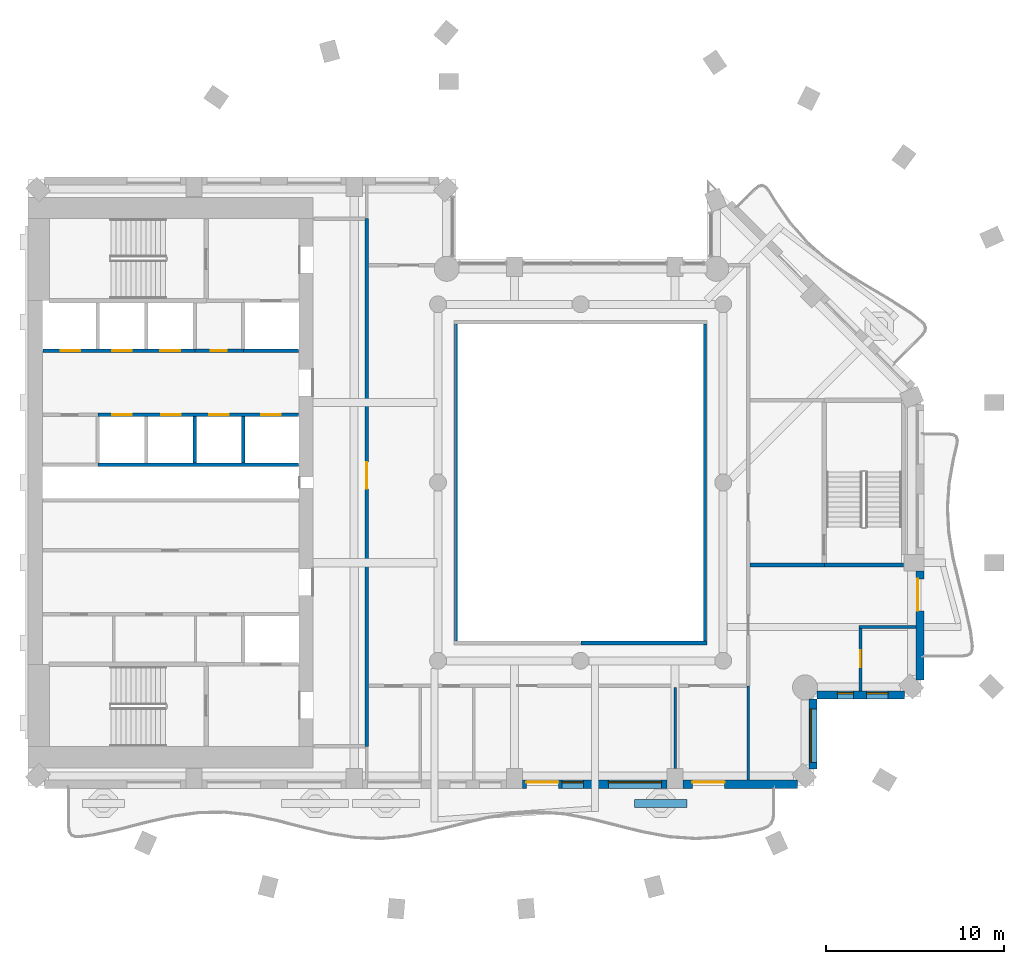
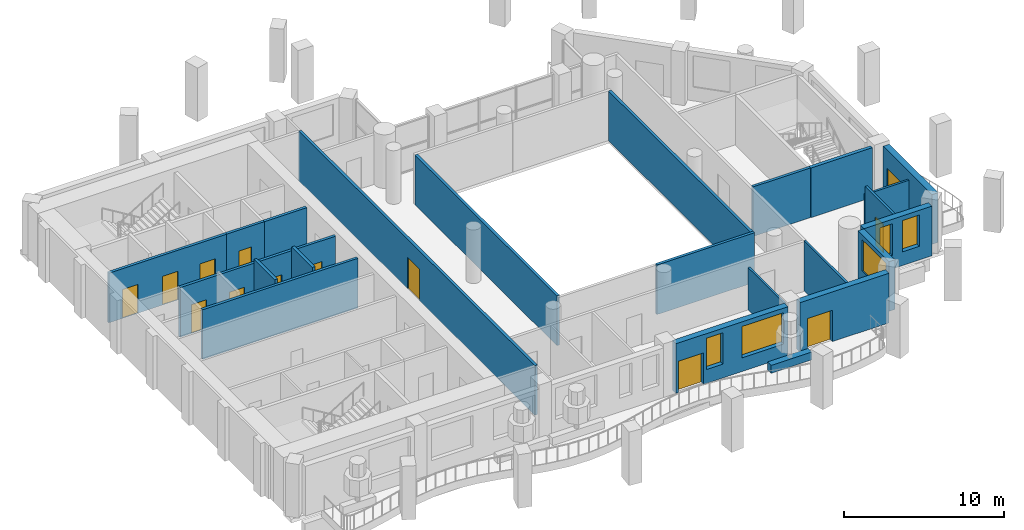
# One storey, part 5 of 14: 23 walls, 13 doors, 5 windows, 18 openings.
"""IFC4 building model written with IfcOpenShell, lengths in metres."""

from ifc_helpers import new_model, si_unit, direction, frame, frame_2d, origin, place, context, subcontext, project, spatial, rectangle, extrude, material, layer, layer_set, type_object, element, fill, save


model = new_model("IFC4")

# Units and contexts
model_context = context("Model", 3, precision=1e-05, world=origin(), true_north=direction((0.0, 1.0)))
body_context = subcontext(model_context, "Body", "Model", "MODEL_VIEW")
ifc_project = project(units=[si_unit("LENGTHUNIT", "METRE"), si_unit("AREAUNIT", "SQUARE_METRE"), si_unit("VOLUMEUNIT", "CUBIC_METRE"), si_unit("PLANEANGLEUNIT", "RADIAN"), si_unit("MASSUNIT", "GRAM", prefix="KILO")], contexts=[model_context])

# Site, building, storey
site_placement = place(None, origin())
site = spatial("IfcSite", under=ifc_project, at=site_placement, CompositionType="ELEMENT")
building_placement = place(site_placement, origin())
building = spatial("IfcBuilding", under=site, at=building_placement, Name="Cypress Arch Tower", CompositionType="ELEMENT")
storey_placement = place(building_placement, frame((0.0, 0.0, 222.0)))
storey = spatial("IfcBuildingStorey", under=building, at=storey_placement, Name="L49", CompositionType="ELEMENT", Elevation=222.0)

# Wall
ifc_material_1 = material(Name="Concrete C40/50, waterproofed", Category="concrete")
ifc_layer_1 = layer(ifc_material_1, 0.449951171875)
ifc_layer_set_1 = layer_set([ifc_layer_1], Name="Balcony planter wall PW450")
wall_type_1 = type_object("IfcWallType", Name="Balcony planter wall PW450", PredefinedType="SOLIDWALL", material=ifc_layer_set_1)
wall_1_placement = place(storey_placement, frame((4.030029296875, -18.0, 0.0), z_axis=(0.0, 0.0, 1.0), x_axis=(1.0, 0.0, 0.0)))
element("IfcWall", 1, at=wall_1_placement, inside=storey, type_object=wall_type_1, Name="Balcony planter wall L49-B01.4", PredefinedType="SOLIDWALL", context=body_context, shape_type="SweptSolid", body=[
    extrude(rectangle(XDim=2.945068359375, YDim=0.449951171875, at=frame_2d((1.47265625, 0.0))), origin(), (0.0, 0.0, 1.0), 0.60009765625),
])

# Wall, openings, door, windows
ifc_material_2 = material(Name="Brick (red buff blend)", Category="masonry")
ifc_layer_2 = layer(ifc_material_2, 0.449951171875)
ifc_layer_set_2 = layer_set([ifc_layer_2], Name="Brick pier and spandrel wall BW450")
wall_type_2 = type_object("IfcWallType", Name="Brick pier and spandrel wall BW450", PredefinedType="SOLIDWALL", material=ifc_layer_set_2)
wall_2_placement = place(storey_placement, frame((-2.25, -16.925048828125, 0.0), z_axis=(0.0, 0.0, 1.0), x_axis=(1.0, 0.0, 0.0)))
wall_2 = element("IfcWall", 2, at=wall_2_placement, inside=storey, type_object=wall_type_2, Name="Brick wall L49 B01.3", PredefinedType="SOLIDWALL", context=body_context, shape_type="SweptSolid", body=[
    extrude(rectangle(XDim=8.10009765625, YDim=0.449951171875, at=frame_2d((4.050048828125, 0.0))), origin(), (0.0, 0.0, 1.0), 3.800048828125),
])
opening_1_placement = place(wall_2_placement, frame((0.199951171875, 0.0, 0.0)))
opening_1 = element("IfcOpeningElement", 3, at=opening_1_placement, cuts=wall_2, Name="Opening D-L49-B01.3.1", PredefinedType="OPENING", context=body_context, shape_type="SweptSolid", body=[
    extrude(rectangle(XDim=1.800048828125, YDim=2.39990234375, at=frame_2d((0.89990234375, 1.199951171875))), frame((0.0, 0.23486328125, 0.0), z_axis=(0.0, -1.0, 0.0), x_axis=(1.0, 0.0, 0.0)), (0.0, 0.0, 1.0), 0.469970703125),
])
opening_2_placement = place(wall_2_placement, frame((2.199951171875, 0.0, 1.050048828125)))
opening_2 = element("IfcOpeningElement", 4, at=opening_2_placement, cuts=wall_2, Name="Opening W120OD", PredefinedType="OPENING", context=body_context, shape_type="SweptSolid", body=[
    extrude(rectangle(XDim=1.199951171875, YDim=2.39990234375, at=frame_2d((0.60009765625, 1.199951171875))), frame((0.0, 0.23486328125, 0.0), z_axis=(0.0, -1.0, 0.0), x_axis=(1.0, 0.0, 0.0)), (0.0, 0.0, 1.0), 0.469970703125),
])
opening_3_placement = place(wall_2_placement, frame((4.800048828125, 0.0, 1.050048828125)))
opening_3 = element("IfcOpeningElement", 5, at=opening_3_placement, cuts=wall_2, Name="Opening W300OD", PredefinedType="OPENING", context=body_context, shape_type="SweptSolid", body=[
    extrude(rectangle(XDim=3.0, YDim=2.39990234375, at=frame_2d((1.5, 1.199951171875))), frame((0.0, 0.23486328125, 0.0), z_axis=(0.0, -1.0, 0.0), x_axis=(1.0, 0.0, 0.0)), (0.0, 0.0, 1.0), 0.469970703125),
])
ifc_material_3 = material(Name="Anodised aluminium, bronze finish, laminated low-emissivity double glazing, large-missile impact rated", Category="aluminium")
door_type_1 = type_object("IfcDoorType", Name="Balcony sliding door 1800x2400", OperationType="SLIDING_TO_LEFT", PredefinedType="DOOR", material=ifc_material_3)
door_1_placement = place(opening_1_placement, origin())
door_1 = element("IfcDoor", 6, at=door_1_placement, inside=storey, type_object=door_type_1, Name="Balcony door L49 B01.3.1", OperationType="SLIDING_TO_LEFT", OverallHeight=2.39990234375, OverallWidth=1.800048828125, PredefinedType="DOOR", context=body_context, shape_type="SweptSolid", body=[
    extrude(rectangle(XDim=1.800048828125, YDim=2.39990234375, at=frame_2d((0.89990234375, 1.199951171875))), frame((0.0, 0.1298828125, 0.0), z_axis=(0.0, -1.0, 0.0), x_axis=(1.0, 0.0, 0.0)), (0.0, 0.0, 1.0), 0.050048828125),
])
fill(opening_1, door_1)
ifc_material_4 = material(Name="Anodised aluminium, bronze finish, laminated low-emissivity double glazing, large-missile impact rated", Category="aluminium")
window_type_1 = type_object("IfcWindowType", Name="Window Office 1200x2400 debris-rated", PartitioningType="SINGLE_PANEL", PredefinedType="WINDOW", material=ifc_material_4)
window_1_placement = place(opening_2_placement, origin())
window_1 = element("IfcWindow", 7, at=window_1_placement, inside=storey, type_object=window_type_1, Name="Window L49 B01.3.1", OverallHeight=2.39990234375, OverallWidth=1.199951171875, PartitioningType="SINGLE_PANEL", PredefinedType="WINDOW", context=body_context, shape_type="SweptSolid", body=[
    extrude(rectangle(XDim=1.199951171875, YDim=2.39990234375, at=frame_2d((0.60009765625, 1.199951171875))), frame((0.0, 0.135009765625, 0.0), z_axis=(0.0, -1.0, 0.0), x_axis=(1.0, 0.0, 0.0)), (0.0, 0.0, 1.0), 0.06005859375),
])
fill(opening_2, window_1)
ifc_material_5 = material(Name="Anodised aluminium, bronze finish, laminated low-emissivity double glazing, large-missile impact rated", Category="aluminium")
window_type_2 = type_object("IfcWindowType", Name="Window Office 3000x2400 debris-rated", PartitioningType="SINGLE_PANEL", PredefinedType="WINDOW", material=ifc_material_5)
window_2_placement = place(opening_3_placement, origin())
window_2 = element("IfcWindow", 8, at=window_2_placement, inside=storey, type_object=window_type_2, Name="Window L49 B01.3.2", OverallHeight=2.39990234375, OverallWidth=3.0, PartitioningType="SINGLE_PANEL", PredefinedType="WINDOW", context=body_context, shape_type="SweptSolid", body=[
    extrude(rectangle(XDim=3.0, YDim=2.39990234375, at=frame_2d((1.5, 1.199951171875))), frame((0.0, 0.135009765625, 0.0), z_axis=(0.0, -1.0, 0.0), x_axis=(1.0, 0.0, 0.0)), (0.0, 0.0, 1.0), 0.06005859375),
])
fill(opening_3, window_2)

# Wall, opening, door
wall_3_placement = place(storey_placement, frame((6.75, -16.925048828125, 0.0), z_axis=(0.0, 0.0, 1.0), x_axis=(1.0, 0.0, 0.0)))
wall_3 = element("IfcWall", 9, at=wall_3_placement, inside=storey, type_object=wall_type_2, Name="Brick wall L49 B01.4", PredefinedType="SOLIDWALL", context=body_context, shape_type="SweptSolid", body=[
    extrude(rectangle(XDim=6.41357421875, YDim=0.449951171875, at=frame_2d((3.206787109375, 0.0))), origin(), (0.0, 0.0, 1.0), 3.800048828125),
])
opening_4_placement = place(wall_3_placement, frame((0.52490234375, 0.0, 0.0)))
opening_4 = element("IfcOpeningElement", 10, at=opening_4_placement, cuts=wall_3, Name="Opening D-L49-B01.4.1", PredefinedType="OPENING", context=body_context, shape_type="SweptSolid", body=[
    extrude(rectangle(XDim=1.800048828125, YDim=2.39990234375, at=frame_2d((0.89990234375, 1.199951171875))), frame((0.0, 0.23486328125, 0.0), z_axis=(0.0, -1.0, 0.0), x_axis=(1.0, 0.0, 0.0)), (0.0, 0.0, 1.0), 0.469970703125),
])
door_2_placement = place(opening_4_placement, origin())
door_2 = element("IfcDoor", 11, at=door_2_placement, inside=storey, type_object=door_type_1, Name="Balcony door L49 B01.4.1", OperationType="SLIDING_TO_LEFT", OverallHeight=2.39990234375, OverallWidth=1.800048828125, PredefinedType="DOOR", context=body_context, shape_type="SweptSolid", body=[
    extrude(rectangle(XDim=1.800048828125, YDim=2.39990234375, at=frame_2d((0.89990234375, 1.199951171875))), frame((0.0, 0.1298828125, 0.0), z_axis=(0.0, -1.0, 0.0), x_axis=(1.0, 0.0, 0.0)), (0.0, 0.0, 1.0), 0.050048828125),
])
fill(opening_4, door_2)

# Wall, opening, window
wall_4_placement = place(storey_placement, frame((14.02490234375, -16.063720703125, 0.0), z_axis=(0.0, 0.0, 1.0), x_axis=(0.0, 1.0, 0.0)))
wall_4 = element("IfcWall", 12, at=wall_4_placement, inside=storey, type_object=wall_type_2, Name="Brick wall L49 B02.0", PredefinedType="SOLIDWALL", context=body_context, shape_type="SweptSolid", body=[
    extrude(rectangle(XDim=3.9091796875, YDim=0.449951171875, at=frame_2d((1.95458984375, 0.0))), origin(), (0.0, 0.0, 1.0), 3.800048828125),
])
opening_5_placement = place(wall_4_placement, frame((0.363525390625, 0.0, 1.050048828125)))
opening_5 = element("IfcOpeningElement", 13, at=opening_5_placement, cuts=wall_4, Name="Opening W300O", PredefinedType="OPENING", context=body_context, shape_type="SweptSolid", body=[
    extrude(rectangle(XDim=3.0, YDim=2.39990234375, at=frame_2d((1.5, 1.199951171875))), frame((0.0, 0.23486328125, 0.0), z_axis=(0.0, -1.0, 0.0), x_axis=(1.0, 0.0, 0.0)), (0.0, 0.0, 1.0), 0.469970703125),
])
ifc_material_6 = material(Name="Anodised aluminium, bronze finish, clear low-emissivity double glazing", Category="aluminium")
window_type_3 = type_object("IfcWindowType", Name="Window Office 3000x2400", PartitioningType="SINGLE_PANEL", PredefinedType="WINDOW", material=ifc_material_6)
window_3_placement = place(opening_5_placement, origin())
window_3 = element("IfcWindow", 14, at=window_3_placement, inside=storey, type_object=window_type_3, Name="Window L49 B02.0.1", OverallHeight=2.39990234375, OverallWidth=3.0, PartitioningType="SINGLE_PANEL", PredefinedType="WINDOW", context=body_context, shape_type="SweptSolid", body=[
    extrude(rectangle(XDim=3.0, YDim=2.39990234375, at=frame_2d((1.5, 1.199951171875))), frame((0.0, 0.135009765625, 0.0), z_axis=(0.0, -1.0, 0.0), x_axis=(1.0, 0.0, 0.0)), (0.0, 0.0, 1.0), 0.06005859375),
])
fill(opening_5, window_3)

# Wall, openings, windows
wall_5_placement = place(storey_placement, frame((14.254638671875, -11.925048828125, 0.0), z_axis=(0.0, 0.0, 1.0), x_axis=(1.0, 0.0, 0.0)))
wall_5 = element("IfcWall", 15, at=wall_5_placement, inside=storey, type_object=wall_type_2, Name="Brick wall L49 B03.0", PredefinedType="SOLIDWALL", context=body_context, shape_type="SweptSolid", body=[
    extrude(rectangle(XDim=4.908935546875, YDim=0.449951171875, at=frame_2d((2.45458984375, 0.0))), origin(), (0.0, 0.0, 1.0), 3.800048828125),
])
opening_6_placement = place(wall_5_placement, frame((1.1455078125, 0.0, 1.050048828125)))
opening_6 = element("IfcOpeningElement", 16, at=opening_6_placement, cuts=wall_5, Name="Opening W090O", PredefinedType="OPENING", context=body_context, shape_type="SweptSolid", body=[
    extrude(rectangle(XDim=0.89990234375, YDim=2.39990234375, at=frame_2d((0.449951171875, 1.199951171875))), frame((0.0, 0.23486328125, 0.0), z_axis=(0.0, -1.0, 0.0), x_axis=(1.0, 0.0, 0.0)), (0.0, 0.0, 1.0), 0.469970703125),
])
opening_7_placement = place(wall_5_placement, frame((2.79541015625, 0.0, 1.050048828125)))
opening_7 = element("IfcOpeningElement", 17, at=opening_7_placement, cuts=wall_5, Name="Opening W120O", PredefinedType="OPENING", context=body_context, shape_type="SweptSolid", body=[
    extrude(rectangle(XDim=1.199951171875, YDim=2.39990234375, at=frame_2d((0.60009765625, 1.199951171875))), frame((0.0, 0.23486328125, 0.0), z_axis=(0.0, -1.0, 0.0), x_axis=(1.0, 0.0, 0.0)), (0.0, 0.0, 1.0), 0.469970703125),
])
ifc_material_7 = material(Name="Anodised aluminium, bronze finish, clear low-emissivity double glazing", Category="aluminium")
window_type_4 = type_object("IfcWindowType", Name="Window Office 1200x2400", PartitioningType="SINGLE_PANEL", PredefinedType="WINDOW", material=ifc_material_7)
window_4_placement = place(opening_7_placement, origin())
window_4 = element("IfcWindow", 18, at=window_4_placement, inside=storey, type_object=window_type_4, Name="Window L49 B03.0.1b", OverallHeight=2.39990234375, OverallWidth=1.199951171875, PartitioningType="SINGLE_PANEL", PredefinedType="WINDOW", context=body_context, shape_type="SweptSolid", body=[
    extrude(rectangle(XDim=1.199951171875, YDim=2.39990234375, at=frame_2d((0.60009765625, 1.199951171875))), frame((0.0, 0.135009765625, 0.0), z_axis=(0.0, -1.0, 0.0), x_axis=(1.0, 0.0, 0.0)), (0.0, 0.0, 1.0), 0.06005859375),
])
fill(opening_7, window_4)
ifc_material_8 = material(Name="Anodised aluminium, bronze finish, clear low-emissivity double glazing", Category="aluminium")
window_type_5 = type_object("IfcWindowType", Name="Window Office 900x2400", PartitioningType="SINGLE_PANEL", PredefinedType="WINDOW", material=ifc_material_8)
window_5_placement = place(opening_6_placement, origin())
window_5 = element("IfcWindow", 19, at=window_5_placement, inside=storey, type_object=window_type_5, Name="Window L49 B03.0.1", OverallHeight=2.39990234375, OverallWidth=0.89990234375, PartitioningType="SINGLE_PANEL", PredefinedType="WINDOW", context=body_context, shape_type="SweptSolid", body=[
    extrude(rectangle(XDim=0.89990234375, YDim=2.39990234375, at=frame_2d((0.449951171875, 1.199951171875))), frame((0.0, 0.135009765625, 0.0), z_axis=(0.0, -1.0, 0.0), x_axis=(1.0, 0.0, 0.0)), (0.0, 0.0, 1.0), 0.06005859375),
])
fill(opening_6, window_5)

# Wall, opening, door
wall_6_placement = place(storey_placement, frame((20.02490234375, -11.063720703125, 0.0), z_axis=(0.0, 0.0, 1.0), x_axis=(0.0, 1.0, 0.0)))
wall_6 = element("IfcWall", 20, at=wall_6_placement, inside=storey, type_object=wall_type_2, Name="Brick wall L49 B04.0", PredefinedType="SOLIDWALL", context=body_context, shape_type="SweptSolid", body=[
    extrude(rectangle(XDim=6.11376953125, YDim=0.449951171875, at=frame_2d((3.056884765625, 0.0))), origin(), (0.0, 0.0, 1.0), 3.800048828125),
])
opening_8_placement = place(wall_6_placement, frame((3.863525390625, 0.0, 0.0)))
opening_8 = element("IfcOpeningElement", 21, at=opening_8_placement, cuts=wall_6, Name="Opening D-L49-B04.0.2", PredefinedType="OPENING", context=body_context, shape_type="SweptSolid", body=[
    extrude(rectangle(XDim=1.800048828125, YDim=2.39990234375, at=frame_2d((0.89990234375, 1.199951171875))), frame((0.0, 0.23486328125, 0.0), z_axis=(0.0, -1.0, 0.0), x_axis=(1.0, 0.0, 0.0)), (0.0, 0.0, 1.0), 0.469970703125),
])
door_3_placement = place(opening_8_placement, origin())
door_3 = element("IfcDoor", 22, at=door_3_placement, inside=storey, type_object=door_type_1, Name="Balcony door L49 B04.0.2", OperationType="SLIDING_TO_LEFT", OverallHeight=2.39990234375, OverallWidth=1.800048828125, PredefinedType="DOOR", context=body_context, shape_type="SweptSolid", body=[
    extrude(rectangle(XDim=1.800048828125, YDim=2.39990234375, at=frame_2d((0.89990234375, 1.199951171875))), frame((0.0, 0.1298828125, 0.0), z_axis=(0.0, -1.0, 0.0), x_axis=(1.0, 0.0, 0.0)), (0.0, 0.0, 1.0), 0.050048828125),
])
fill(opening_8, door_3)

ifc_material_9 = material(Name="Concrete blockwork, plastered, rated", Category="masonry")
ifc_layer_3 = layer(ifc_material_9, 0.199951171875)
ifc_layer_set_3 = layer_set([ifc_layer_3], Name="Corridor wall FW200")
wall_type_3 = type_object("IfcWallType", Name="Corridor wall FW200", PredefinedType="PARTITIONING", material=ifc_layer_set_3)
wall_7_placement = place(storey_placement, frame((-11.0, -14.800048828125, 0.0), z_axis=(0.0, 0.0, 1.0), x_axis=(0.0, 1.0, 0.0)))
wall_7 = element("IfcWall", 23, at=wall_7_placement, inside=storey, type_object=wall_type_3, Name="Corridor wall", PredefinedType="PARTITIONING", context=body_context, shape_type="SweptSolid", body=[
    extrude(rectangle(XDim=29.60009765625, YDim=0.199951171875, at=frame_2d((14.800048828125, 0.0))), origin(), (0.0, 0.0, 1.0), 3.800048828125),
])
opening_9_placement = place(wall_7_placement, frame((14.449951171875, 0.0, 0.0)))
opening_9 = element("IfcOpeningElement", 24, at=opening_9_placement, cuts=wall_7, Name="Opening D07", PredefinedType="OPENING", context=body_context, shape_type="SweptSolid", body=[
    extrude(rectangle(XDim=1.5, YDim=2.39990234375, at=frame_2d((0.75, 1.199951171875))), frame((0.0, 0.10986328125, 0.0), z_axis=(0.0, -1.0, 0.0), x_axis=(1.0, 0.0, 0.0)), (0.0, 0.0, 1.0), 0.219970703125),
])
ifc_material_10 = material(Name="Steel framed glazed door, fire resisting", Category="steel")
door_type_2 = type_object("IfcDoorType", Name="Lobby door D07 1500x2400", OperationType="DOUBLE_DOOR_SINGLE_SWING", PredefinedType="DOOR", material=ifc_material_10)
door_4_placement = place(opening_9_placement, origin())
door_4 = element("IfcDoor", 25, at=door_4_placement, inside=storey, type_object=door_type_2, Name="Lobby door", OperationType="DOUBLE_DOOR_SINGLE_SWING", OverallHeight=2.39990234375, OverallWidth=1.5, PredefinedType="DOOR", context=body_context, shape_type="SweptSolid", body=[
    extrude(rectangle(XDim=1.5, YDim=2.39990234375, at=frame_2d((0.75, 1.199951171875))), frame((0.0, 0.02490234375, 0.0), z_axis=(0.0, -1.0, 0.0), x_axis=(1.0, 0.0, 0.0)), (0.0, 0.0, 1.0), 0.050048828125),
])
fill(opening_9, door_4)

# Walls
wall_8_placement = place(storey_placement, frame((-6.0, -8.89990234375, 0.0), z_axis=(0.0, 0.0, 1.0), x_axis=(0.0, 1.0, 0.0)))
element("IfcWall", 26, at=wall_8_placement, inside=storey, type_object=wall_type_3, Name="Corridor wall", PredefinedType="PARTITIONING", context=body_context, shape_type="SweptSolid", body=[
    extrude(rectangle(XDim=17.7998046875, YDim=0.199951171875, at=frame_2d((8.89990234375, 0.0))), origin(), (0.0, 0.0, 1.0), 3.800048828125),
])
wall_9_placement = place(storey_placement, frame((1.02001953125, -9.0, 0.0), z_axis=(0.0, 0.0, 1.0), x_axis=(1.0, 0.0, 0.0)))
element("IfcWall", 27, at=wall_9_placement, inside=storey, type_object=wall_type_3, Name="Corridor wall", PredefinedType="PARTITIONING", context=body_context, shape_type="SweptSolid", body=[
    extrude(rectangle(XDim=7.080078125, YDim=0.199951171875, at=frame_2d((3.5400390625, 0.0))), origin(), (0.0, 0.0, 1.0), 3.800048828125),
])
wall_10_placement = place(storey_placement, frame((8.0, -8.89990234375, 0.0), z_axis=(0.0, 0.0, 1.0), x_axis=(0.0, 1.0, 0.0)))
element("IfcWall", 28, at=wall_10_placement, inside=storey, type_object=wall_type_3, Name="Corridor wall", PredefinedType="PARTITIONING", context=body_context, shape_type="SweptSolid", body=[
    extrude(rectangle(XDim=17.7998046875, YDim=0.199951171875, at=frame_2d((8.89990234375, 0.0))), origin(), (0.0, 0.0, 1.0), 3.800048828125),
])
wall_11_placement = place(storey_placement, frame((10.5, -4.625, 0.0), z_axis=(0.0, 0.0, 1.0), x_axis=(1.0, 0.0, 0.0)))
element("IfcWall", 29, at=wall_11_placement, inside=storey, type_object=wall_type_3, Name="Corridor wall", PredefinedType="PARTITIONING", context=body_context, shape_type="SweptSolid", body=[
    extrude(rectangle(XDim=4.175048828125, YDim=0.199951171875, at=frame_2d((2.08740234375, 0.0))), origin(), (0.0, 0.0, 1.0), 3.800048828125),
])
ifc_material_11 = material(Name="Blockwork, plastered both sides", Category="masonry")
ifc_layer_4 = layer(ifc_material_11, 0.14990234375)
ifc_layer_set_4 = layer_set([ifc_layer_4], Name="Partition PW150")
wall_type_4 = type_object("IfcWallType", Name="Partition PW150", PredefinedType="PARTITIONING", material=ifc_layer_set_4)
wall_12_placement = place(storey_placement, frame((6.300048828125, -16.050048828125, 0.0), z_axis=(0.0, 0.0, 1.0), x_axis=(0.0, 1.0, 0.0)))
element("IfcWall", 30, at=wall_12_placement, inside=storey, type_object=wall_type_4, Name="Partition", PredefinedType="PARTITIONING", context=body_context, shape_type="SweptSolid", body=[
    extrude(rectangle(XDim=4.550048828125, YDim=0.14990234375, at=frame_2d((2.27490234375, 0.0))), origin(), (0.0, 0.0, 1.0), 3.25),
])
wall_13_placement = place(storey_placement, frame((10.39990234375, -16.699951171875, 0.0), z_axis=(0.0, 0.0, 1.0), x_axis=(0.0, 1.0, 0.0)))
element("IfcWall", 31, at=wall_13_placement, inside=storey, type_object=wall_type_4, Name="Partition", PredefinedType="PARTITIONING", context=body_context, shape_type="SweptSolid", body=[
    extrude(rectangle(XDim=5.300048828125, YDim=0.14990234375, at=frame_2d((2.64990234375, 0.0))), origin(), (0.0, 0.0, 1.0), 3.800048828125),
])

# Wall, opening, door
wall_14_placement = place(storey_placement, frame((16.699951171875, -11.699951171875, 0.0), z_axis=(0.0, 0.0, 1.0), x_axis=(0.0, 1.0, 0.0)))
wall_14 = element("IfcWall", 32, at=wall_14_placement, inside=storey, type_object=wall_type_4, Name="Partition", PredefinedType="PARTITIONING", context=body_context, shape_type="SweptSolid", body=[
    extrude(rectangle(XDim=3.52490234375, YDim=0.14990234375, at=frame_2d((1.762451171875, 0.0))), origin(), (0.0, 0.0, 1.0), 3.800048828125),
])
opening_10_placement = place(wall_14_placement, frame((1.35009765625, 0.0, 0.0)))
opening_10 = element("IfcOpeningElement", 33, at=opening_10_placement, cuts=wall_14, Name="Opening D12", PredefinedType="OPENING", context=body_context, shape_type="SweptSolid", body=[
    extrude(rectangle(XDim=0.949951171875, YDim=2.199951171875, at=frame_2d((0.47509765625, 1.10009765625))), frame((0.0, 0.0849609375, 0.0), z_axis=(0.0, -1.0, 0.0), x_axis=(1.0, 0.0, 0.0)), (0.0, 0.0, 1.0), 0.169921875),
])
ifc_material_12 = material(Name="Timber flush door", Category="wood")
door_type_3 = type_object("IfcDoorType", Name="Room door D12 950x2200", OperationType="SINGLE_SWING_LEFT", PredefinedType="DOOR", material=ifc_material_12)
door_5_placement = place(opening_10_placement, origin())
door_5 = element("IfcDoor", 34, at=door_5_placement, inside=storey, type_object=door_type_3, Name="Room door", OperationType="SINGLE_SWING_RIGHT", OverallHeight=2.199951171875, OverallWidth=0.949951171875, PredefinedType="DOOR", context=body_context, shape_type="SweptSolid", body=[
    extrude(rectangle(XDim=0.949951171875, YDim=2.199951171875, at=frame_2d((0.47509765625, 1.10009765625))), frame((0.0, 0.02490234375, 0.0), z_axis=(0.0, -1.0, 0.0), x_axis=(1.0, 0.0, 0.0)), (0.0, 0.0, 1.0), 0.050048828125),
])
fill(opening_10, door_5)

# Wall
wall_15_placement = place(storey_placement, frame((16.625, -8.10009765625, 0.0), z_axis=(0.0, 0.0, 1.0), x_axis=(1.0, 0.0, 0.0)))
element("IfcWall", 35, at=wall_15_placement, inside=storey, type_object=wall_type_4, Name="Partition", PredefinedType="PARTITIONING", context=body_context, shape_type="SweptSolid", body=[
    extrude(rectangle(XDim=3.175048828125, YDim=0.14990234375, at=frame_2d((1.58740234375, 0.0))), origin(), (0.0, 0.0, 1.0), 3.14990234375),
])

# Wall, opening, door
ifc_material_13 = material(Name="Reinforced blockwork, plastered, rated", Category="masonry")
ifc_layer_5 = layer(ifc_material_13, 0.199951171875)
ifc_layer_set_5 = layer_set([ifc_layer_5], Name="Plant and riser wall PL200")
wall_type_5 = type_object("IfcWallType", Name="Plant and riser wall PL200", PredefinedType="PARTITIONING", material=ifc_layer_set_5)
wall_16_placement = place(storey_placement, frame((-20.639892578125, 7.39990234375, 0.0), z_axis=(0.0, 0.0, 1.0), x_axis=(1.0, 0.0, 0.0)))
wall_16 = element("IfcWall", 36, at=wall_16_placement, inside=storey, type_object=wall_type_5, Name="Plant and riser wall", PredefinedType="PARTITIONING", context=body_context, shape_type="SweptSolid", body=[
    extrude(rectangle(XDim=2.719970703125, YDim=0.199951171875, at=frame_2d((1.35986328125, 0.0))), origin(), (0.0, 0.0, 1.0), 3.800048828125),
])
opening_11_placement = place(wall_16_placement, frame((0.89990234375, 0.0, 0.0)))
opening_11 = element("IfcOpeningElement", 37, at=opening_11_placement, cuts=wall_16, Name="Opening D05", PredefinedType="OPENING", context=body_context, shape_type="SweptSolid", body=[
    extrude(rectangle(XDim=0.89990234375, YDim=2.199951171875, at=frame_2d((0.449951171875, 1.10009765625))), frame((0.0, 0.10986328125, 0.0), z_axis=(0.0, -1.0, 0.0), x_axis=(1.0, 0.0, 0.0)), (0.0, 0.0, 1.0), 0.219970703125),
])
ifc_material_14 = material(Name="Timber flush door", Category="wood")
door_type_4 = type_object("IfcDoorType", Name="Service door D05 900x2200", OperationType="SINGLE_SWING_LEFT", PredefinedType="DOOR", material=ifc_material_14)
door_6_placement = place(opening_11_placement, origin())
door_6 = element("IfcDoor", 38, at=door_6_placement, inside=storey, type_object=door_type_4, Name="Service door", OperationType="SINGLE_SWING_LEFT", OverallHeight=2.199951171875, OverallWidth=0.89990234375, PredefinedType="DOOR", context=body_context, shape_type="SweptSolid", body=[
    extrude(rectangle(XDim=0.89990234375, YDim=2.199951171875, at=frame_2d((0.449951171875, 1.10009765625))), frame((0.0, 0.02490234375, 0.0), z_axis=(0.0, -1.0, 0.0), x_axis=(1.0, 0.0, 0.0)), (0.0, 0.0, 1.0), 0.050048828125),
])
fill(opening_11, door_6)

# Wall, openings, doors
ifc_material_15 = material(Name="Concrete C50/60", Category="concrete")
ifc_layer_6 = layer(ifc_material_15, 0.199951171875)
ifc_layer_set_6 = layer_set([ifc_layer_6], Name="Shaft wall SH200")
wall_type_6 = type_object("IfcWallType", Name="Shaft wall SH200", PredefinedType="SHEAR", material=ifc_layer_set_6)
wall_17_placement = place(storey_placement, frame((-29.169921875, 7.39990234375, 0.0), z_axis=(0.0, 0.0, 1.0), x_axis=(1.0, 0.0, 0.0)))
wall_17 = element("IfcWall", 39, at=wall_17_placement, inside=storey, type_object=wall_type_6, Name="Shaft wall", PredefinedType="SHEAR", context=body_context, shape_type="SweptSolid", body=[
    extrude(rectangle(XDim=8.530029296875, YDim=0.199951171875, at=frame_2d((4.26513671875, 0.0))), origin(), (0.0, 0.0, 1.0), 3.800048828125),
])
opening_12_placement = place(wall_17_placement, frame((1.0, 0.0, 0.0)))
opening_12 = element("IfcOpeningElement", 40, at=opening_12_placement, cuts=wall_17, Name="Opening LD-HR5", PredefinedType="OPENING", context=body_context, shape_type="SweptSolid", body=[
    extrude(rectangle(XDim=1.10009765625, YDim=2.199951171875, at=frame_2d((0.550048828125, 1.10009765625))), frame((0.0, 0.10986328125, 0.0), z_axis=(0.0, -1.0, 0.0), x_axis=(1.0, 0.0, 0.0)), (0.0, 0.0, 1.0), 0.219970703125),
])
opening_13_placement = place(wall_17_placement, frame((3.89990234375, 0.0, 0.0)))
opening_13 = element("IfcOpeningElement", 41, at=opening_13_placement, cuts=wall_17, Name="Opening LD-HR6", PredefinedType="OPENING", context=body_context, shape_type="SweptSolid", body=[
    extrude(rectangle(XDim=1.10009765625, YDim=2.199951171875, at=frame_2d((0.550048828125, 1.10009765625))), frame((0.0, 0.10986328125, 0.0), z_axis=(0.0, -1.0, 0.0), x_axis=(1.0, 0.0, 0.0)), (0.0, 0.0, 1.0), 0.219970703125),
])
opening_14_placement = place(wall_17_placement, frame((6.60009765625, 0.0, 0.0)))
opening_14 = element("IfcOpeningElement", 42, at=opening_14_placement, cuts=wall_17, Name="Opening LD-HR7", PredefinedType="OPENING", context=body_context, shape_type="SweptSolid", body=[
    extrude(rectangle(XDim=1.10009765625, YDim=2.199951171875, at=frame_2d((0.550048828125, 1.10009765625))), frame((0.0, 0.10986328125, 0.0), z_axis=(0.0, -1.0, 0.0), x_axis=(1.0, 0.0, 0.0)), (0.0, 0.0, 1.0), 0.219970703125),
])
ifc_material_16 = material(Name="Stainless steel centre-opening landing door, rated", Category="steel")
door_type_5 = type_object("IfcDoorType", Name="Lift landing door LD 1100x2200", OperationType="DOUBLE_DOOR_SLIDING", PredefinedType="DOOR", material=ifc_material_16)
door_7_placement = place(opening_12_placement, origin())
door_7 = element("IfcDoor", 43, at=door_7_placement, inside=storey, type_object=door_type_5, Name="Lift landing doors HR5", OperationType="DOUBLE_DOOR_SLIDING", OverallHeight=2.199951171875, OverallWidth=1.10009765625, PredefinedType="DOOR", context=body_context, shape_type="SweptSolid", body=[
    extrude(rectangle(XDim=1.10009765625, YDim=2.199951171875, at=frame_2d((0.550048828125, 1.10009765625))), frame((0.0, 0.02490234375, 0.0), z_axis=(0.0, -1.0, 0.0), x_axis=(1.0, 0.0, 0.0)), (0.0, 0.0, 1.0), 0.050048828125),
])
fill(opening_12, door_7)
door_8_placement = place(opening_13_placement, origin())
door_8 = element("IfcDoor", 44, at=door_8_placement, inside=storey, type_object=door_type_5, Name="Lift landing doors HR6", OperationType="DOUBLE_DOOR_SLIDING", OverallHeight=2.199951171875, OverallWidth=1.10009765625, PredefinedType="DOOR", context=body_context, shape_type="SweptSolid", body=[
    extrude(rectangle(XDim=1.10009765625, YDim=2.199951171875, at=frame_2d((0.550048828125, 1.10009765625))), frame((0.0, 0.02490234375, 0.0), z_axis=(0.0, -1.0, 0.0), x_axis=(1.0, 0.0, 0.0)), (0.0, 0.0, 1.0), 0.050048828125),
])
fill(opening_13, door_8)
door_9_placement = place(opening_14_placement, origin())
door_9 = element("IfcDoor", 45, at=door_9_placement, inside=storey, type_object=door_type_5, Name="Lift landing doors HR7", OperationType="DOUBLE_DOOR_SLIDING", OverallHeight=2.199951171875, OverallWidth=1.10009765625, PredefinedType="DOOR", context=body_context, shape_type="SweptSolid", body=[
    extrude(rectangle(XDim=1.10009765625, YDim=2.199951171875, at=frame_2d((0.550048828125, 1.10009765625))), frame((0.0, 0.02490234375, 0.0), z_axis=(0.0, -1.0, 0.0), x_axis=(1.0, 0.0, 0.0)), (0.0, 0.0, 1.0), 0.050048828125),
])
fill(opening_14, door_9)

# Wall
wall_18_placement = place(storey_placement, frame((-26.080078125, 1.0, 0.0), z_axis=(0.0, 0.0, 1.0), x_axis=(1.0, 0.0, 0.0)))
element("IfcWall", 46, at=wall_18_placement, inside=storey, type_object=wall_type_6, Name="Shaft wall", PredefinedType="SHEAR", context=body_context, shape_type="SweptSolid", body=[
    extrude(rectangle(XDim=11.25, YDim=0.199951171875, at=frame_2d((5.625, 0.0))), origin(), (0.0, 0.0, 1.0), 3.800048828125),
])

# Wall, openings, doors
wall_19_placement = place(storey_placement, frame((-26.080078125, 3.800048828125, 0.0), z_axis=(0.0, 0.0, 1.0), x_axis=(1.0, 0.0, 0.0)))
wall_19 = element("IfcWall", 47, at=wall_19_placement, inside=storey, type_object=wall_type_6, Name="Shaft wall", PredefinedType="SHEAR", context=body_context, shape_type="SweptSolid", body=[
    extrude(rectangle(XDim=11.25, YDim=0.199951171875, at=frame_2d((5.625, 0.0))), origin(), (0.0, 0.0, 1.0), 3.800048828125),
])
opening_15_placement = place(wall_19_placement, frame((0.800048828125, 0.0, 0.0)))
opening_15 = element("IfcOpeningElement", 48, at=opening_15_placement, cuts=wall_19, Name="Opening LD-HR1", PredefinedType="OPENING", context=body_context, shape_type="SweptSolid", body=[
    extrude(rectangle(XDim=1.10009765625, YDim=2.199951171875, at=frame_2d((0.550048828125, 1.10009765625))), frame((0.0, 0.10986328125, 0.0), z_axis=(0.0, -1.0, 0.0), x_axis=(1.0, 0.0, 0.0)), (0.0, 0.0, 1.0), 0.219970703125),
])
opening_16_placement = place(wall_19_placement, frame((3.550048828125, 0.0, 0.0)))
opening_16 = element("IfcOpeningElement", 49, at=opening_16_placement, cuts=wall_19, Name="Opening LD-HR2", PredefinedType="OPENING", context=body_context, shape_type="SweptSolid", body=[
    extrude(rectangle(XDim=1.10009765625, YDim=2.199951171875, at=frame_2d((0.550048828125, 1.10009765625))), frame((0.0, 0.10986328125, 0.0), z_axis=(0.0, -1.0, 0.0), x_axis=(1.0, 0.0, 0.0)), (0.0, 0.0, 1.0), 0.219970703125),
])
opening_17_placement = place(wall_19_placement, frame((6.25, 0.0, 0.0)))
opening_17 = element("IfcOpeningElement", 50, at=opening_17_placement, cuts=wall_19, Name="Opening LD-HR3", PredefinedType="OPENING", context=body_context, shape_type="SweptSolid", body=[
    extrude(rectangle(XDim=1.10009765625, YDim=2.199951171875, at=frame_2d((0.550048828125, 1.10009765625))), frame((0.0, 0.10986328125, 0.0), z_axis=(0.0, -1.0, 0.0), x_axis=(1.0, 0.0, 0.0)), (0.0, 0.0, 1.0), 0.219970703125),
])
opening_18_placement = place(wall_19_placement, frame((9.14990234375, 0.0, 0.0)))
opening_18 = element("IfcOpeningElement", 51, at=opening_18_placement, cuts=wall_19, Name="Opening LD-HR4", PredefinedType="OPENING", context=body_context, shape_type="SweptSolid", body=[
    extrude(rectangle(XDim=1.10009765625, YDim=2.199951171875, at=frame_2d((0.550048828125, 1.10009765625))), frame((0.0, 0.10986328125, 0.0), z_axis=(0.0, -1.0, 0.0), x_axis=(1.0, 0.0, 0.0)), (0.0, 0.0, 1.0), 0.219970703125),
])
door_10_placement = place(opening_15_placement, origin())
door_10 = element("IfcDoor", 52, at=door_10_placement, inside=storey, type_object=door_type_5, Name="Lift landing doors HR1", OperationType="DOUBLE_DOOR_SLIDING", OverallHeight=2.199951171875, OverallWidth=1.10009765625, PredefinedType="DOOR", context=body_context, shape_type="SweptSolid", body=[
    extrude(rectangle(XDim=1.10009765625, YDim=2.199951171875, at=frame_2d((0.550048828125, 1.10009765625))), frame((0.0, 0.02490234375, 0.0), z_axis=(0.0, -1.0, 0.0), x_axis=(1.0, 0.0, 0.0)), (0.0, 0.0, 1.0), 0.050048828125),
])
fill(opening_15, door_10)
door_11_placement = place(opening_16_placement, origin())
door_11 = element("IfcDoor", 53, at=door_11_placement, inside=storey, type_object=door_type_5, Name="Lift landing doors HR2", OperationType="DOUBLE_DOOR_SLIDING", OverallHeight=2.199951171875, OverallWidth=1.10009765625, PredefinedType="DOOR", context=body_context, shape_type="SweptSolid", body=[
    extrude(rectangle(XDim=1.10009765625, YDim=2.199951171875, at=frame_2d((0.550048828125, 1.10009765625))), frame((0.0, 0.02490234375, 0.0), z_axis=(0.0, -1.0, 0.0), x_axis=(1.0, 0.0, 0.0)), (0.0, 0.0, 1.0), 0.050048828125),
])
fill(opening_16, door_11)
door_12_placement = place(opening_17_placement, origin())
door_12 = element("IfcDoor", 54, at=door_12_placement, inside=storey, type_object=door_type_5, Name="Lift landing doors HR3", OperationType="DOUBLE_DOOR_SLIDING", OverallHeight=2.199951171875, OverallWidth=1.10009765625, PredefinedType="DOOR", context=body_context, shape_type="SweptSolid", body=[
    extrude(rectangle(XDim=1.10009765625, YDim=2.199951171875, at=frame_2d((0.550048828125, 1.10009765625))), frame((0.0, 0.02490234375, 0.0), z_axis=(0.0, -1.0, 0.0), x_axis=(1.0, 0.0, 0.0)), (0.0, 0.0, 1.0), 0.050048828125),
])
fill(opening_17, door_12)
door_13_placement = place(opening_18_placement, origin())
door_13 = element("IfcDoor", 55, at=door_13_placement, inside=storey, type_object=door_type_5, Name="Lift landing doors HR4", OperationType="DOUBLE_DOOR_SLIDING", OverallHeight=2.199951171875, OverallWidth=1.10009765625, PredefinedType="DOOR", context=body_context, shape_type="SweptSolid", body=[
    extrude(rectangle(XDim=1.10009765625, YDim=2.199951171875, at=frame_2d((0.550048828125, 1.10009765625))), frame((0.0, 0.02490234375, 0.0), z_axis=(0.0, -1.0, 0.0), x_axis=(1.0, 0.0, 0.0)), (0.0, 0.0, 1.0), 0.050048828125),
])
fill(opening_18, door_13)

# Walls
for number, where, z_axis, x_axis, name in (
    (56, (-20.639892578125, 1.10009765625, 0.0), (0.0, 0.0, 1.0), (0.0, 1.0, 0.0), "Shaft wall"),
    (57, (-17.919921875, 1.10009765625, 0.0), (0.0, 0.0, 1.0), (0.0, 1.0, 0.0), "Shaft wall"),
):
    element("IfcWall", number, at=place(storey_placement, frame(where, z_axis=z_axis, x_axis=x_axis)), inside=storey, type_object=wall_type_6, Name=name, PredefinedType="SHEAR", context=body_context, shape_type="SweptSolid", body=[
        extrude(rectangle(XDim=2.599853515625, YDim=0.199951171875, at=frame_2d((1.2998046875, 0.0))), origin(), (0.0, 0.0, 1.0), 4.10009765625),
    ])
wall_20_placement = place(storey_placement, frame((-17.919921875, 7.39990234375, 0.0), z_axis=(0.0, 0.0, 1.0), x_axis=(1.0, 0.0, 0.0)))
element("IfcWall", 58, at=wall_20_placement, inside=storey, type_object=wall_type_6, Name="Shaft wall", PredefinedType="SHEAR", context=body_context, shape_type="SweptSolid", body=[
    extrude(rectangle(XDim=3.08984375, YDim=0.199951171875, at=frame_2d((1.544921875, 0.0))), origin(), (0.0, 0.0, 1.0), 3.800048828125),
])
ifc_material_17 = material(Name="Concrete C50/60", Category="concrete")
ifc_layer_7 = layer(ifc_material_17, 0.25)
ifc_layer_set_7 = layer_set([ifc_layer_7], Name="Stair enclosure wall SW250")
wall_type_7 = type_object("IfcWallType", Name="Stair enclosure wall SW250", PredefinedType="SHEAR", material=ifc_layer_set_7)
wall_21_placement = place(storey_placement, frame((14.675048828125, -4.625, 0.0), z_axis=(0.0, 0.0, 1.0), x_axis=(1.0, 0.0, 0.0)))
element("IfcWall", 59, at=wall_21_placement, inside=storey, type_object=wall_type_7, Name="Stair enclosure wall", PredefinedType="SHEAR", context=body_context, shape_type="SweptSolid", body=[
    extrude(rectangle(XDim=4.449951171875, YDim=0.25, at=frame_2d((2.22509765625, 0.0))), origin(), (0.0, 0.0, 1.0), 3.800048828125),
])

save(model, "model.ifc")
